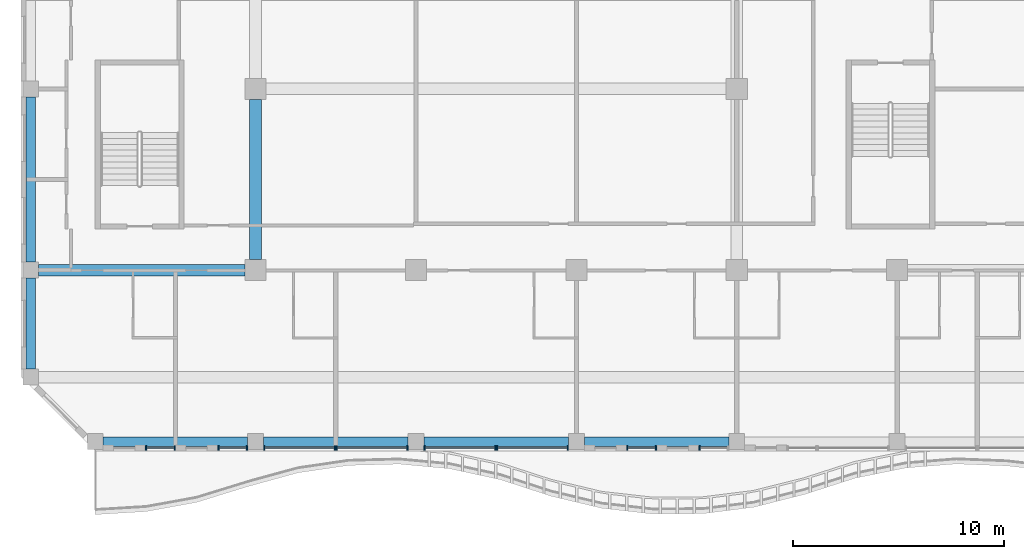
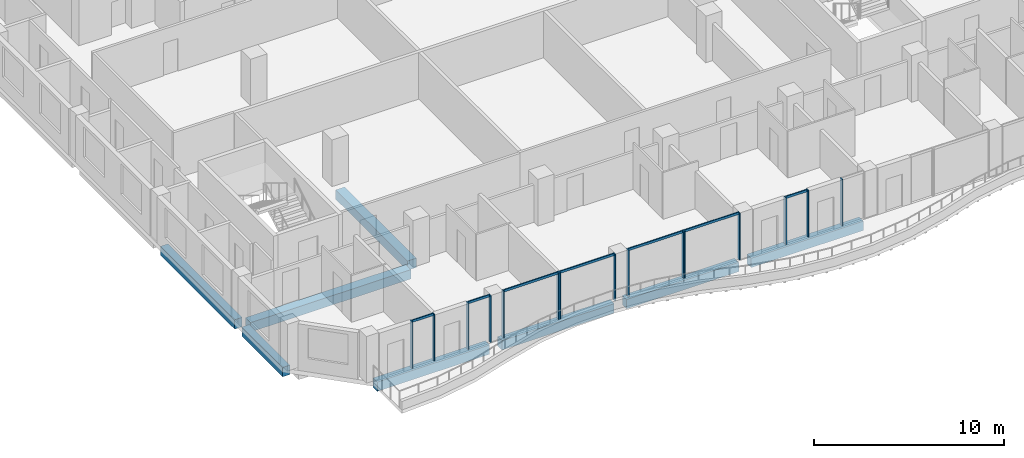
# One storey, part 2 of 22: 22 members, 8 beams, 8 elements without a shape of their own.
"""IFC4 building model written with IfcOpenShell, lengths in metres."""

from ifc_helpers import new_model, si_unit, direction, frame, origin, origin_2d, place, context, subcontext, project, spatial, rectangle, extrude, source, transform, mapped, material, material_profile, profile_set, type_object, element, aggregate, save


model = new_model("IFC4")

# Units and contexts
model_context = context("Model", 3, precision=1e-05, world=origin(), true_north=direction((0.0, 1.0)))
body_context = subcontext(model_context, "Body", "Model", "MODEL_VIEW")
ifc_project = project(units=[si_unit("LENGTHUNIT", "METRE"), si_unit("AREAUNIT", "SQUARE_METRE"), si_unit("VOLUMEUNIT", "CUBIC_METRE"), si_unit("PLANEANGLEUNIT", "RADIAN"), si_unit("MASSUNIT", "GRAM", prefix="KILO")], contexts=[model_context])

# Site, building, storey
site_placement = place(None, origin())
site = spatial("IfcSite", under=ifc_project, at=site_placement, CompositionType="ELEMENT")
building_placement = place(site_placement, origin())
building = spatial("IfcBuilding", under=site, at=building_placement, Name="Kilnfold Tower and Market Hall", CompositionType="ELEMENT")
storey_placement = place(building_placement, frame((0.0, 0.0, 220.300048828125)))
storey = spatial("IfcBuildingStorey", under=building, at=storey_placement, Name="L54", CompositionType="ELEMENT", Elevation=220.300048828125)

# Beams
ifc_material_1 = material(Name="Concrete C45", Category="concrete")
ifc_material_profile_1 = material_profile(ifc_material_1, rectangle(XDim=0.449951171875, YDim=0.60009765625, at=origin_2d()), Name="RC 450x600")
ifc_profile_set_1 = profile_set([ifc_material_profile_1], Name="Concrete C45")
beam_type_1 = type_object("IfcBeamType", Name="EDGE BEAM 450X600 C45", PredefinedType="BEAM", material=ifc_profile_set_1)
shared_shape_1 = source(origin(), body_context, "Body", "SweptSolid", [
    extrude(rectangle(XDim=0.449951171875, YDim=0.60009765625, at=origin_2d()), origin(), (0.0, 0.0, 1.0), 6.833251953125),
])
for number, where, z_axis, x_axis, name in (
    (1, (-17.375, -25.800048828125, -0.580078125), (1.0, 0.0, 0.0), (0.0, 1.0, 0.0), "Beam EB600-B6.39"),
    (2, (-2.208251953125, -25.800048828125, -0.580078125), (1.0, 0.0, 0.0), (0.0, 1.0, 0.0), "Beam EB600-B6.41"),
    (3, (5.375, -25.800048828125, -0.580078125), (1.0, 0.0, 0.0), (0.0, 1.0, 0.0), "Beam EB600-B6.42"),
):
    element("IfcBeam", number, at=place(storey_placement, frame(where, z_axis=z_axis, x_axis=x_axis)), inside=storey, type_object=beam_type_1, Name=name, PredefinedType="BEAM", context=body_context, shape_type="MappedRepresentation", body=[
        mapped(shared_shape_1, transform((0.0, 0.0, 0.0))),
    ])
shared_shape_2 = source(origin(), body_context, "Body", "SweptSolid", [
    extrude(rectangle(XDim=0.449951171875, YDim=0.60009765625, at=origin_2d()), origin(), (0.0, 0.0, 1.0), 6.83349609375),
])
beam_1_placement = place(storey_placement, frame((-9.791748046875, -25.800048828125, -0.580078125), z_axis=(1.0, 0.0, 0.0), x_axis=(0.0, 1.0, 0.0)))
element("IfcBeam", 4, at=beam_1_placement, inside=storey, type_object=beam_type_1, Name="Beam EB600-B6.40", PredefinedType="BEAM", context=body_context, shape_type="MappedRepresentation", body=[
    mapped(shared_shape_2, transform((0.0, 0.0, 0.0))),
])
ifc_material_2 = material(Name="Concrete C45", Category="concrete")
ifc_material_profile_2 = material_profile(ifc_material_2, rectangle(XDim=0.550048828125, YDim=0.60009765625, at=origin_2d()), Name="RC 550x600")
ifc_profile_set_2 = profile_set([ifc_material_profile_2], Name="Concrete C45")
beam_type_2 = type_object("IfcBeamType", Name="BEAM 550X600 C45", PredefinedType="BEAM", material=ifc_profile_set_2)
shared_shape_3 = source(origin(), body_context, "Body", "SweptSolid", [
    extrude(rectangle(XDim=0.550048828125, YDim=0.60009765625, at=origin_2d()), origin(), (0.0, 0.0, 1.0), 9.75830078125),
])
beam_2_placement = place(storey_placement, frame((-20.425048828125, -17.68994140625, -0.580078125), z_axis=(1.0, 0.0, 0.0), x_axis=(0.0, 1.0, 0.0)))
element("IfcBeam", 5, at=beam_2_placement, inside=storey, type_object=beam_type_2, Name="Beam BB600-B6.46", PredefinedType="BEAM", context=body_context, shape_type="MappedRepresentation", body=[
    mapped(shared_shape_3, transform((0.0, 0.0, 0.0))),
])
shared_shape_4 = source(origin(), body_context, "Body", "SweptSolid", [
    extrude(rectangle(XDim=0.449951171875, YDim=0.60009765625, at=origin_2d()), origin(), (0.0, 0.0, 1.0), 4.3125),
])
beam_3_placement = place(storey_placement, frame((-20.800048828125, -22.375, -0.580078125), z_axis=(0.0, 1.0, 0.0), x_axis=(-1.0, 0.0, 0.0)))
element("IfcBeam", 6, at=beam_3_placement, inside=storey, type_object=beam_type_1, Name="Beam EB600-B6.60", PredefinedType="BEAM", context=body_context, shape_type="MappedRepresentation", body=[
    mapped(shared_shape_4, transform((0.0, 0.0, 0.0))),
])
shared_shape_5 = source(origin(), body_context, "Body", "SweptSolid", [
    extrude(rectangle(XDim=0.449951171875, YDim=0.60009765625, at=origin_2d()), origin(), (0.0, 0.0, 1.0), 7.8125),
])
beam_4_placement = place(storey_placement, frame((-20.800048828125, -17.3125, -0.580078125), z_axis=(0.0, 1.0, 0.0), x_axis=(-1.0, 0.0, 0.0)))
element("IfcBeam", 7, at=beam_4_placement, inside=storey, type_object=beam_type_1, Name="Beam EB600-B6.61", PredefinedType="BEAM", context=body_context, shape_type="MappedRepresentation", body=[
    mapped(shared_shape_5, transform((0.0, 0.0, 0.0))),
])
shared_shape_6 = source(origin(), body_context, "Body", "SweptSolid", [
    extrude(rectangle(XDim=0.550048828125, YDim=0.60009765625, at=origin_2d()), origin(), (0.0, 0.0, 1.0), 7.5625),
])
beam_5_placement = place(storey_placement, frame((-10.169921875, -17.1875, -0.580078125), z_axis=(0.0, 1.0, 0.0), x_axis=(-1.0, 0.0, 0.0)))
element("IfcBeam", 8, at=beam_5_placement, inside=storey, type_object=beam_type_2, Name="Beam BB600-B6.64", PredefinedType="BEAM", context=body_context, shape_type="MappedRepresentation", body=[
    mapped(shared_shape_6, transform((0.0, 0.0, 0.0))),
])

# Curtain wall, members
ifc_material_3 = material(Name="Aluminium and double glazing", Category="aluminium")
curtain_wall_type = type_object("IfcCurtainWallType", Name="CW GARDEN HOTEL WINTER GARDEN", PredefinedType="NOTDEFINED", material=ifc_material_3)
curtain_wall_1_placement = place(storey_placement, origin())
curtain_wall_1 = element("IfcCurtainWall", 9, at=curtain_wall_1_placement, inside=storey, type_object=curtain_wall_type, Name="Curtain wall CW5 L54 S", PredefinedType="NOTDEFINED")
ifc_material_4 = material(Name="Aluminium", Category="aluminium")
ifc_material_profile_3 = material_profile(ifc_material_4, rectangle(XDim=0.06494140625, YDim=0.2099609375, at=origin_2d()), Name="MULLION 65x210")
ifc_profile_set_3 = profile_set([ifc_material_profile_3], Name="Aluminium")
member_type_1 = type_object("IfcMemberType", Name="MULLION 65X210", PredefinedType="MULLION", material=ifc_profile_set_3)
shared_shape_7 = source(origin(), body_context, "Body", "SweptSolid", [
    extrude(rectangle(XDim=0.06494140625, YDim=0.2099609375, at=origin_2d()), origin(), (0.0, 0.0, 1.0), 3.0),
])
member_1_placement = place(storey_placement, frame((-15.342529296875, -26.10009765625, 0.0), z_axis=(0.0, 0.0, 1.0), x_axis=(1.0, 0.0, 0.0)))
member_1 = element("IfcMember", 10, at=member_1_placement, type_object=member_type_1, Name="CW5 mullion 1", PredefinedType="MULLION", context=body_context, shape_type="MappedRepresentation", body=[
    mapped(shared_shape_7, transform((0.0, 0.0, 0.0))),
])
member_2_placement = place(storey_placement, frame((-13.99072265625, -26.10009765625, 0.0), z_axis=(0.0, 0.0, 1.0), x_axis=(1.0, 0.0, 0.0)))
member_2 = element("IfcMember", 11, at=member_2_placement, type_object=member_type_1, Name="CW5 mullion 2", PredefinedType="MULLION", context=body_context, shape_type="MappedRepresentation", body=[
    mapped(shared_shape_7, transform((0.0, 0.0, 0.0))),
])

curtain_wall_2_placement = place(storey_placement, origin())
curtain_wall_2 = element("IfcCurtainWall", 12, at=curtain_wall_2_placement, inside=storey, type_object=curtain_wall_type, Name="Curtain wall CW5 L54 S", PredefinedType="NOTDEFINED")
member_3_placement = place(storey_placement, frame((-11.92578125, -26.10009765625, 0.0), z_axis=(0.0, 0.0, 1.0), x_axis=(1.0, 0.0, 0.0)))
member_3 = element("IfcMember", 13, at=member_3_placement, type_object=member_type_1, Name="CW5 mullion 1", PredefinedType="MULLION", context=body_context, shape_type="MappedRepresentation", body=[
    mapped(shared_shape_7, transform((0.0, 0.0, 0.0))),
])
member_4_placement = place(storey_placement, frame((-10.57421875, -26.10009765625, 0.0), z_axis=(0.0, 0.0, 1.0), x_axis=(1.0, 0.0, 0.0)))
member_4 = element("IfcMember", 14, at=member_4_placement, type_object=member_type_1, Name="CW5 mullion 2", PredefinedType="MULLION", context=body_context, shape_type="MappedRepresentation", body=[
    mapped(shared_shape_7, transform((0.0, 0.0, 0.0))),
])

curtain_wall_3_placement = place(storey_placement, origin())
curtain_wall_3 = element("IfcCurtainWall", 15, at=curtain_wall_3_placement, inside=storey, type_object=curtain_wall_type, Name="Curtain wall CW5 L54 S", PredefinedType="NOTDEFINED")
member_5_placement = place(storey_placement, frame((-9.75927734375, -26.10009765625, 0.0), z_axis=(0.0, 0.0, 1.0), x_axis=(1.0, 0.0, 0.0)))
member_5 = element("IfcMember", 16, at=member_5_placement, type_object=member_type_1, Name="CW5 mullion 1", PredefinedType="MULLION", context=body_context, shape_type="MappedRepresentation", body=[
    mapped(shared_shape_7, transform((0.0, 0.0, 0.0))),
])
member_6_placement = place(storey_placement, frame((-6.407470703125, -26.10009765625, 0.0), z_axis=(0.0, 0.0, 1.0), x_axis=(1.0, 0.0, 0.0)))
member_6 = element("IfcMember", 17, at=member_6_placement, type_object=member_type_1, Name="CW5 mullion 2", PredefinedType="MULLION", context=body_context, shape_type="MappedRepresentation", body=[
    mapped(shared_shape_7, transform((0.0, 0.0, 0.0))),
])

curtain_wall_4_placement = place(storey_placement, origin())
curtain_wall_4 = element("IfcCurtainWall", 18, at=curtain_wall_4_placement, inside=storey, type_object=curtain_wall_type, Name="Curtain wall CW5 L54 S", PredefinedType="NOTDEFINED")
member_7_placement = place(storey_placement, frame((-6.342529296875, -26.10009765625, 0.0), z_axis=(0.0, 0.0, 1.0), x_axis=(1.0, 0.0, 0.0)))
member_7 = element("IfcMember", 19, at=member_7_placement, type_object=member_type_1, Name="CW5 mullion 1", PredefinedType="MULLION", context=body_context, shape_type="MappedRepresentation", body=[
    mapped(shared_shape_7, transform((0.0, 0.0, 0.0))),
])
member_8_placement = place(storey_placement, frame((-2.99072265625, -26.10009765625, 0.0), z_axis=(0.0, 0.0, 1.0), x_axis=(1.0, 0.0, 0.0)))
member_8 = element("IfcMember", 20, at=member_8_placement, type_object=member_type_1, Name="CW5 mullion 2", PredefinedType="MULLION", context=body_context, shape_type="MappedRepresentation", body=[
    mapped(shared_shape_7, transform((0.0, 0.0, 0.0))),
])

curtain_wall_5_placement = place(storey_placement, origin())
curtain_wall_5 = element("IfcCurtainWall", 21, at=curtain_wall_5_placement, inside=storey, type_object=curtain_wall_type, Name="Curtain wall CW5 L54 S", PredefinedType="NOTDEFINED")
member_9_placement = place(storey_placement, frame((-2.17578125, -26.10009765625, 0.0), z_axis=(0.0, 0.0, 1.0), x_axis=(1.0, 0.0, 0.0)))
member_9 = element("IfcMember", 22, at=member_9_placement, type_object=member_type_1, Name="CW5 mullion 1", PredefinedType="MULLION", context=body_context, shape_type="MappedRepresentation", body=[
    mapped(shared_shape_7, transform((0.0, 0.0, 0.0))),
])
member_10_placement = place(storey_placement, frame((1.17578125, -26.10009765625, 0.0), z_axis=(0.0, 0.0, 1.0), x_axis=(1.0, 0.0, 0.0)))
member_10 = element("IfcMember", 23, at=member_10_placement, type_object=member_type_1, Name="CW5 mullion 2", PredefinedType="MULLION", context=body_context, shape_type="MappedRepresentation", body=[
    mapped(shared_shape_7, transform((0.0, 0.0, 0.0))),
])

curtain_wall_6_placement = place(storey_placement, origin())
curtain_wall_6 = element("IfcCurtainWall", 24, at=curtain_wall_6_placement, inside=storey, type_object=curtain_wall_type, Name="Curtain wall CW5 L54 S", PredefinedType="NOTDEFINED")
member_11_placement = place(storey_placement, frame((1.24072265625, -26.10009765625, 0.0), z_axis=(0.0, 0.0, 1.0), x_axis=(1.0, 0.0, 0.0)))
member_11 = element("IfcMember", 25, at=member_11_placement, type_object=member_type_1, Name="CW5 mullion 1", PredefinedType="MULLION", context=body_context, shape_type="MappedRepresentation", body=[
    mapped(shared_shape_7, transform((0.0, 0.0, 0.0))),
])
member_12_placement = place(storey_placement, frame((4.592529296875, -26.10009765625, 0.0), z_axis=(0.0, 0.0, 1.0), x_axis=(1.0, 0.0, 0.0)))
member_12 = element("IfcMember", 26, at=member_12_placement, type_object=member_type_1, Name="CW5 mullion 2", PredefinedType="MULLION", context=body_context, shape_type="MappedRepresentation", body=[
    mapped(shared_shape_7, transform((0.0, 0.0, 0.0))),
])

curtain_wall_7_placement = place(storey_placement, origin())
curtain_wall_7 = element("IfcCurtainWall", 27, at=curtain_wall_7_placement, inside=storey, type_object=curtain_wall_type, Name="Curtain wall CW5 L54 S", PredefinedType="NOTDEFINED")
member_13_placement = place(storey_placement, frame((7.407470703125, -26.10009765625, 0.0), z_axis=(0.0, 0.0, 1.0), x_axis=(1.0, 0.0, 0.0)))
member_13 = element("IfcMember", 28, at=member_13_placement, type_object=member_type_1, Name="CW5 mullion 1", PredefinedType="MULLION", context=body_context, shape_type="MappedRepresentation", body=[
    mapped(shared_shape_7, transform((0.0, 0.0, 0.0))),
])
member_14_placement = place(storey_placement, frame((8.75927734375, -26.10009765625, 0.0), z_axis=(0.0, 0.0, 1.0), x_axis=(1.0, 0.0, 0.0)))
member_14 = element("IfcMember", 29, at=member_14_placement, type_object=member_type_1, Name="CW5 mullion 2", PredefinedType="MULLION", context=body_context, shape_type="MappedRepresentation", body=[
    mapped(shared_shape_7, transform((0.0, 0.0, 0.0))),
])

# Curtain wall, member
curtain_wall_8_placement = place(storey_placement, origin())
curtain_wall_8 = element("IfcCurtainWall", 30, at=curtain_wall_8_placement, inside=storey, type_object=curtain_wall_type, Name="Curtain wall CW5 L54 S", PredefinedType="NOTDEFINED")
member_15_placement = place(storey_placement, frame((10.82421875, -26.10009765625, 0.0), z_axis=(0.0, 0.0, 1.0), x_axis=(1.0, 0.0, 0.0)))
member_15 = element("IfcMember", 31, at=member_15_placement, type_object=member_type_1, Name="CW5 mullion 1", PredefinedType="MULLION", context=body_context, shape_type="MappedRepresentation", body=[
    mapped(shared_shape_7, transform((0.0, 0.0, 0.0))),
])
aggregate(curtain_wall_8, [member_15])

# Member
ifc_material_5 = material(Name="Aluminium", Category="aluminium")
ifc_material_profile_4 = material_profile(ifc_material_5, rectangle(XDim=0.06494140625, YDim=0.14990234375, at=origin_2d()), Name="TRANSOM 65x150")
ifc_profile_set_4 = profile_set([ifc_material_profile_4], Name="Aluminium")
member_type_2 = type_object("IfcMemberType", Name="TRANSOM 65X150", PredefinedType="USERDEFINED", material=ifc_profile_set_4)
shared_shape_8 = source(origin(), body_context, "Body", "SweptSolid", [
    extrude(rectangle(XDim=0.06494140625, YDim=0.14990234375, at=origin_2d()), origin(), (0.0, 0.0, 1.0), 1.286865234375),
])
member_16_placement = place(storey_placement, frame((-15.31005859375, -26.10009765625, 2.967529296875), z_axis=(1.0, 0.0, 0.0), x_axis=(0.0, 1.0, 0.0)))
member_16 = element("IfcMember", 32, at=member_16_placement, type_object=member_type_2, Name="CW5 transom 1.2", ObjectType="TRANSOM", PredefinedType="USERDEFINED", context=body_context, shape_type="MappedRepresentation", body=[
    mapped(shared_shape_8, transform((0.0, 0.0, 0.0))),
])

aggregate(curtain_wall_1, [member_1, member_2, member_16])

member_17_placement = place(storey_placement, frame((7.43994140625, -26.10009765625, 2.967529296875), z_axis=(1.0, 0.0, 0.0), x_axis=(0.0, 1.0, 0.0)))
member_17 = element("IfcMember", 33, at=member_17_placement, type_object=member_type_2, Name="CW5 transom 1.2", ObjectType="TRANSOM", PredefinedType="USERDEFINED", context=body_context, shape_type="MappedRepresentation", body=[
    mapped(shared_shape_8, transform((0.0, 0.0, 0.0))),
])

aggregate(curtain_wall_7, [member_13, member_14, member_17])

shared_shape_9 = source(origin(), body_context, "Body", "SweptSolid", [
    extrude(rectangle(XDim=0.06494140625, YDim=0.14990234375, at=origin_2d()), origin(), (0.0, 0.0, 1.0), 1.28662109375),
])
member_18_placement = place(storey_placement, frame((-11.893310546875, -26.10009765625, 2.967529296875), z_axis=(1.0, 0.0, 0.0), x_axis=(0.0, 1.0, 0.0)))
member_18 = element("IfcMember", 34, at=member_18_placement, type_object=member_type_2, Name="CW5 transom 1.2", ObjectType="TRANSOM", PredefinedType="USERDEFINED", context=body_context, shape_type="MappedRepresentation", body=[
    mapped(shared_shape_9, transform((0.0, 0.0, 0.0))),
])

aggregate(curtain_wall_2, [member_3, member_4, member_18])

shared_shape_10 = source(origin(), body_context, "Body", "SweptSolid", [
    extrude(rectangle(XDim=0.06494140625, YDim=0.14990234375, at=origin_2d()), origin(), (0.0, 0.0, 1.0), 3.286865234375),
])
member_19_placement = place(storey_placement, frame((-9.726806640625, -26.10009765625, 2.967529296875), z_axis=(1.0, 0.0, 0.0), x_axis=(0.0, 1.0, 0.0)))
member_19 = element("IfcMember", 35, at=member_19_placement, type_object=member_type_2, Name="CW5 transom 1.2", ObjectType="TRANSOM", PredefinedType="USERDEFINED", context=body_context, shape_type="MappedRepresentation", body=[
    mapped(shared_shape_10, transform((0.0, 0.0, 0.0))),
])

aggregate(curtain_wall_3, [member_5, member_6, member_19])

member_20_placement = place(storey_placement, frame((-6.31005859375, -26.10009765625, 2.967529296875), z_axis=(1.0, 0.0, 0.0), x_axis=(0.0, 1.0, 0.0)))
member_20 = element("IfcMember", 36, at=member_20_placement, type_object=member_type_2, Name="CW5 transom 1.2", ObjectType="TRANSOM", PredefinedType="USERDEFINED", context=body_context, shape_type="MappedRepresentation", body=[
    mapped(shared_shape_10, transform((0.0, 0.0, 0.0))),
])

aggregate(curtain_wall_4, [member_7, member_8, member_20])

member_21_placement = place(storey_placement, frame((1.273193359375, -26.10009765625, 2.967529296875), z_axis=(1.0, 0.0, 0.0), x_axis=(0.0, 1.0, 0.0)))
member_21 = element("IfcMember", 37, at=member_21_placement, type_object=member_type_2, Name="CW5 transom 1.2", ObjectType="TRANSOM", PredefinedType="USERDEFINED", context=body_context, shape_type="MappedRepresentation", body=[
    mapped(shared_shape_10, transform((0.0, 0.0, 0.0))),
])

aggregate(curtain_wall_6, [member_11, member_12, member_21])

shared_shape_11 = source(origin(), body_context, "Body", "SweptSolid", [
    extrude(rectangle(XDim=0.06494140625, YDim=0.14990234375, at=origin_2d()), origin(), (0.0, 0.0, 1.0), 3.28662109375),
])
member_22_placement = place(storey_placement, frame((-2.143310546875, -26.10009765625, 2.967529296875), z_axis=(1.0, 0.0, 0.0), x_axis=(0.0, 1.0, 0.0)))
member_22 = element("IfcMember", 38, at=member_22_placement, type_object=member_type_2, Name="CW5 transom 1.2", ObjectType="TRANSOM", PredefinedType="USERDEFINED", context=body_context, shape_type="MappedRepresentation", body=[
    mapped(shared_shape_11, transform((0.0, 0.0, 0.0))),
])

aggregate(curtain_wall_5, [member_9, member_10, member_22])

save(model, "model.ifc")
